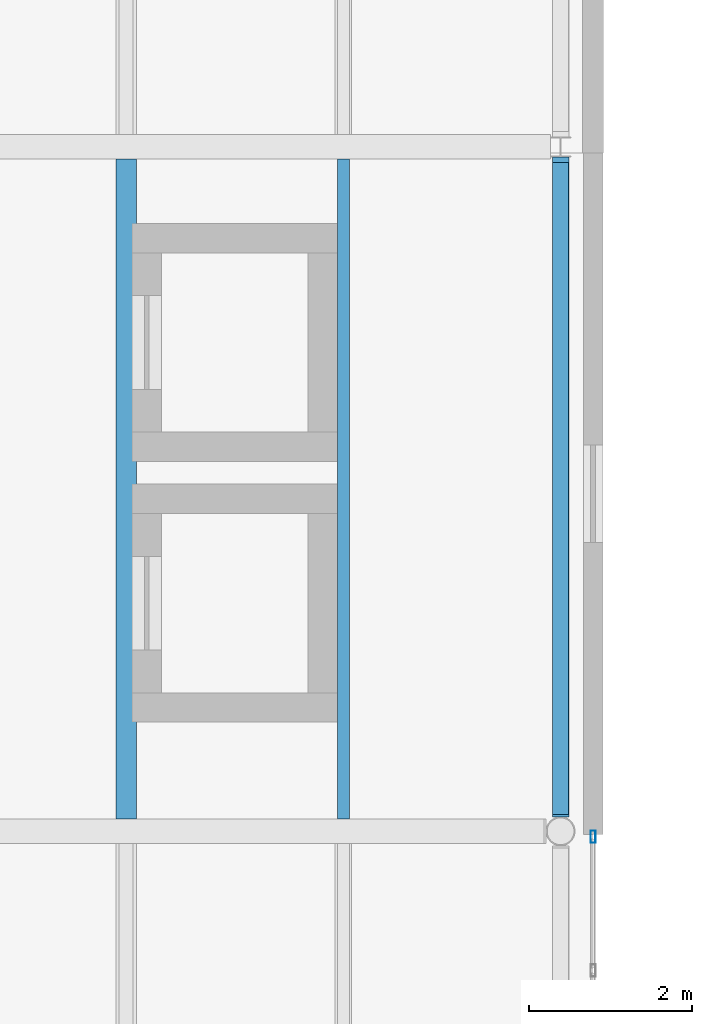
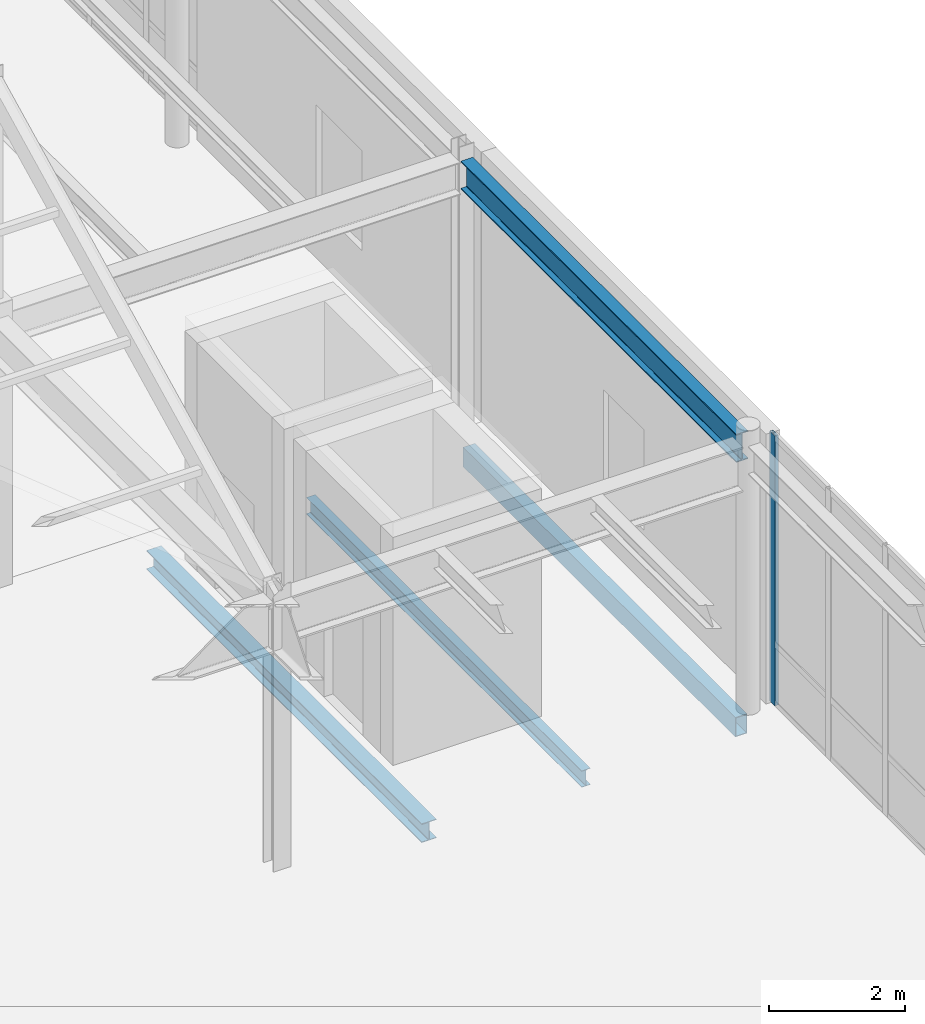
# One storey, part 43 of 91: 4 beams, 1 member, 1 element without a shape of its own.
"""IFC4 building model written with IfcOpenShell, lengths in metres."""

from ifc_helpers import new_model, si_unit, direction, frame, origin, origin_2d, place, context, subcontext, project, spatial, hollow_rectangle, i_section, extrude, material, layer, layer_set, material_profile, profile_set, type_object, element, aggregate, save


model = new_model("IFC4")

# Units and contexts
model_context = context("Model", 3, precision=1e-05, world=origin(), true_north=direction((0.0, 1.0)))
body_context = subcontext(model_context, "Body", "Model", "MODEL_VIEW")
ifc_project = project(units=[si_unit("LENGTHUNIT", "METRE"), si_unit("AREAUNIT", "SQUARE_METRE"), si_unit("VOLUMEUNIT", "CUBIC_METRE"), si_unit("PLANEANGLEUNIT", "RADIAN"), si_unit("MASSUNIT", "GRAM", prefix="KILO"), si_unit("THERMODYNAMICTEMPERATUREUNIT", "KELVIN")], contexts=[model_context])

# Site, building, storey
site_placement = place(None, origin())
site = spatial("IfcSite", under=ifc_project, at=site_placement, CompositionType="ELEMENT")
building_placement = place(site_placement, origin())
building = spatial("IfcBuilding", under=site, at=building_placement, Name="Lustrewick Department Store", CompositionType="ELEMENT")
storey_placement = place(building_placement, frame((0.0, 0.0, 21.60009765625)))
storey = spatial("IfcBuildingStorey", under=building, at=storey_placement, Name="L05", CompositionType="ELEMENT", Elevation=21.60009765625)

# Beams
ifc_material_1 = material(Name="Structural steel Q355B", Category="steel")
ifc_material_profile_1 = material_profile(ifc_material_1, i_section(OverallWidth=0.25, OverallDepth=0.340087890625, WebThickness=0.009033203125, FlangeThickness=0.013916015625, FilletRadius=0.01611328125, at=origin_2d()), Name="HM 340x250x9x14")
ifc_profile_set_1 = profile_set([ifc_material_profile_1], Name="Structural steel Q355B")
beam_type_1 = type_object("IfcBeamType", Name="B08", PredefinedType="JOIST", material=ifc_profile_set_1)
beam_1_placement = place(storey_placement, frame((145.466796875, 25.349609375, -0.425048828125), z_axis=(0.0, 1.0, 0.0), x_axis=(-1.0, 0.0, 0.0)))
element("IfcBeam", 1, at=beam_1_placement, inside=storey, type_object=beam_type_1, Name="L05 V3 Secondary Joist B08", PredefinedType="JOIST", context=body_context, shape_type="SweptSolid", body=[
    extrude(i_section(OverallWidth=0.25, OverallDepth=0.340087890625, WebThickness=0.009033203125, FlangeThickness=0.013916015625, FilletRadius=0.01611328125, at=origin_2d()), origin(), (0.0, 0.0, 1.0), 8.100341796875),
])
ifc_material_profile_2 = material_profile(ifc_material_1, i_section(OverallWidth=0.14892578125, OverallDepth=0.298095703125, WebThickness=0.005615234375, FlangeThickness=0.008056640625, FilletRadius=0.011962890625, at=origin_2d()), Name="HN 298x149x5.5x8")
ifc_profile_set_2 = profile_set([ifc_material_profile_2], Name="Structural steel Q355B")
beam_type_2 = type_object("IfcBeamType", Name="B12", PredefinedType="JOIST", material=ifc_profile_set_2)
beam_2_placement = place(storey_placement, frame((148.13330078125, 25.349609375, -0.404052734375), z_axis=(0.0, 1.0, 0.0), x_axis=(-1.0, 0.0, 0.0)))
element("IfcBeam", 2, at=beam_2_placement, inside=storey, type_object=beam_type_2, Name="L05 V3 Secondary Joist B12", PredefinedType="JOIST", context=body_context, shape_type="SweptSolid", body=[
    extrude(i_section(OverallWidth=0.14892578125, OverallDepth=0.298095703125, WebThickness=0.005615234375, FlangeThickness=0.008056640625, FilletRadius=0.011962890625, at=origin_2d()), origin(), (0.0, 0.0, 1.0), 8.100341796875),
])

# Curtain wall, member
ifc_material_2 = material(Name="Thermally broken aluminium 6063-T5", Category="aluminium")
ifc_layer = layer(ifc_material_2, 0.14990234375, Name="Thermally broken aluminium 6063-T5")
ifc_layer_set = layer_set([ifc_layer], Name="Thermally broken aluminium 6063-T5")
curtain_wall_type = type_object("IfcCurtainWallType", Name="CW14", PredefinedType="NOTDEFINED", material=ifc_layer_set)
curtain_wall_placement = place(storey_placement, origin())
curtain_wall = element("IfcCurtainWall", 3, at=curtain_wall_placement, inside=storey, type_object=curtain_wall_type, Name="L05 V3 Curtain Wall CW14", PredefinedType="NOTDEFINED")
ifc_material_profile_3 = material_profile(ifc_material_2, hollow_rectangle(XDim=0.06005859375, YDim=0.14990234375, WallThickness=0.00341796875, at=origin_2d()), Name="ALU-M 60x150x3.5")
ifc_profile_set_3 = profile_set([ifc_material_profile_3], Name="Thermally broken aluminium 6063-T5")
member_type = type_object("IfcMemberType", Name="CW14-M1", PredefinedType="MULLION", material=ifc_profile_set_3)
member_placement = place(storey_placement, frame((151.199951171875, 25.132568359375, 0.0), z_axis=(0.0, 0.0, 1.0), x_axis=(-1.0, 0.0, 0.0)))
member = element("IfcMember", 4, at=member_placement, type_object=member_type, Name="CW14 mullion 6", PredefinedType="MULLION", context=body_context, shape_type="SweptSolid", body=[
    extrude(hollow_rectangle(XDim=0.06005859375, YDim=0.14990234375, WallThickness=0.00341796875, at=origin_2d()), origin(), (0.0, 0.0, 1.0), 4.844970703125),
])
aggregate(curtain_wall, [member])

# Beams
ifc_material_profile_4 = material_profile(ifc_material_1, i_section(OverallWidth=0.200927734375, OverallDepth=0.506103515625, WebThickness=0.010986328125, FlangeThickness=0.01904296875, FilletRadius=0.01611328125, at=origin_2d()), Name="HN 506x201x11x19")
ifc_profile_set_4 = profile_set([ifc_material_profile_4], Name="Structural steel Q355B")
beam_type_3 = type_object("IfcBeamType", Name="SP01", PredefinedType="SPANDREL", material=ifc_profile_set_4)
beam_3_placement = place(storey_placement, frame((150.800048828125, 25.3779296875, 4.591796875), z_axis=(0.0, 1.0, 0.0), x_axis=(-1.0, 0.0, 0.0)))
element("IfcBeam", 5, at=beam_3_placement, inside=storey, type_object=beam_type_3, Name="L05 V3 Girder SP01", PredefinedType="SPANDREL", context=body_context, shape_type="SweptSolid", body=[
    extrude(i_section(OverallWidth=0.200927734375, OverallDepth=0.506103515625, WebThickness=0.010986328125, FlangeThickness=0.01904296875, FilletRadius=0.01611328125, at=origin_2d()), origin(), (0.0, 0.0, 1.0), 8.09716796875),
])
ifc_material_3 = material(Name="Structural steel Q355C", Category="steel")
ifc_material_profile_5 = material_profile(ifc_material_3, hollow_rectangle(XDim=0.199951171875, YDim=0.35009765625, WallThickness=0.011962890625, at=origin_2d()), Name="RHS 350x200x12")
ifc_profile_set_5 = profile_set([ifc_material_profile_5], Name="Structural steel Q355C")
beam_type_4 = type_object("IfcBeamType", Name="SP03", PredefinedType="SPANDREL", material=ifc_profile_set_5)
beam_4_placement = place(storey_placement, frame((150.800048828125, 25.403076171875, -0.43017578125), z_axis=(0.0, 1.0, 0.0), x_axis=(-1.0, 0.0, 0.0)))
element("IfcBeam", 6, at=beam_4_placement, inside=storey, type_object=beam_type_4, Name="L05 V3 Girder SP03", PredefinedType="SPANDREL", context=body_context, shape_type="SweptSolid", body=[
    extrude(hollow_rectangle(XDim=0.199951171875, YDim=0.35009765625, WallThickness=0.011962890625, at=origin_2d()), origin(), (0.0, 0.0, 1.0), 8.008544921875),
])

save(model, "model.ifc")
